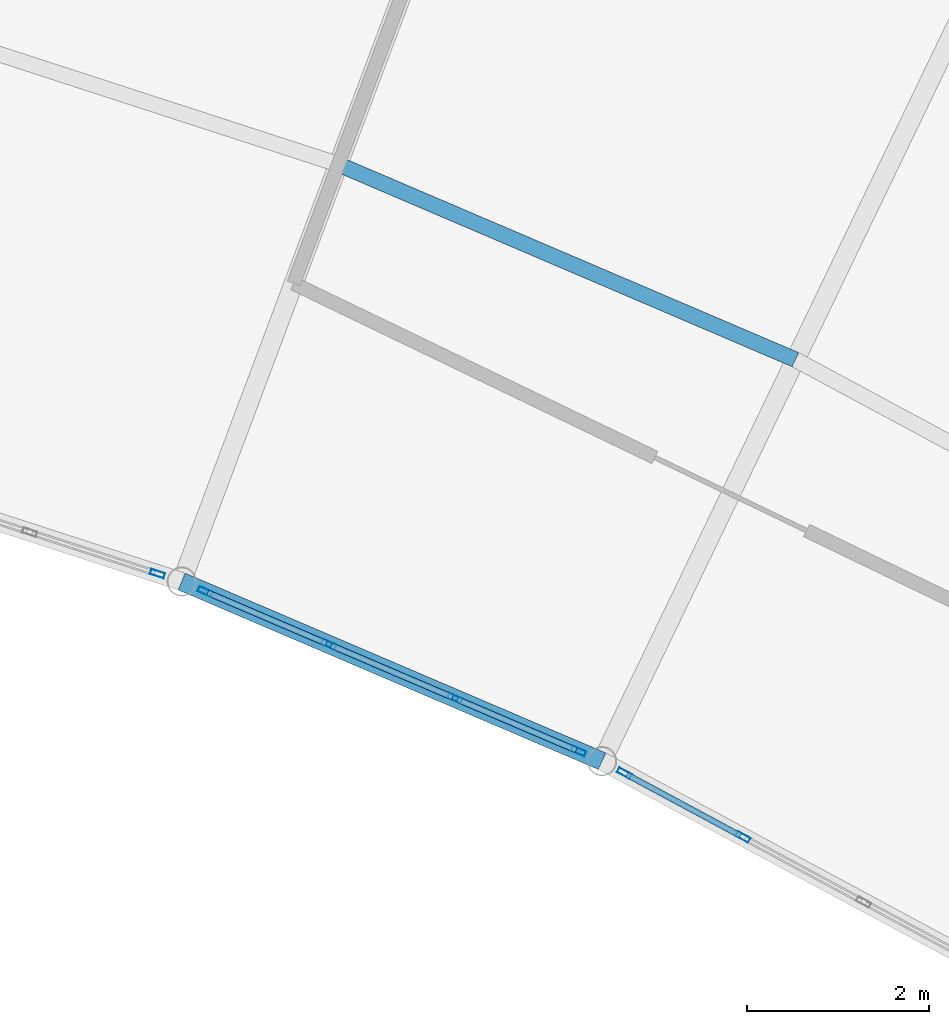
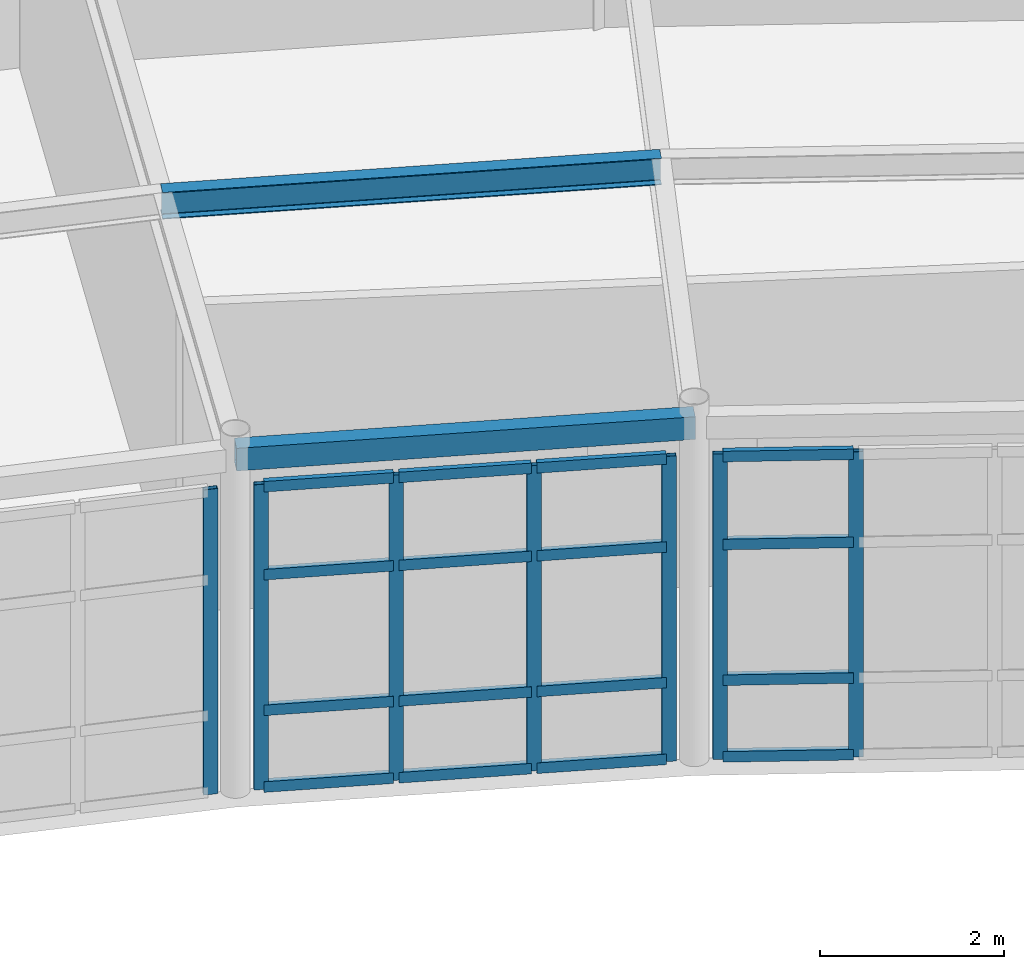
# One storey, part 69 of 105: 23 members, 2 beams, 3 elements without a shape of their own.
"""IFC4 building model written with IfcOpenShell, lengths in metres."""

from ifc_helpers import new_model, si_unit, direction, frame, origin, origin_2d, place, context, subcontext, project, spatial, hollow_rectangle, i_section, extrude, material, layer, layer_set, material_profile, profile_set, type_object, element, aggregate, save


model = new_model("IFC4")

# Units and contexts
model_context = context("Model", 3, precision=1e-05, world=origin(), true_north=direction((0.0, 1.0)))
body_context = subcontext(model_context, "Body", "Model", "MODEL_VIEW")
ifc_project = project(units=[si_unit("LENGTHUNIT", "METRE"), si_unit("AREAUNIT", "SQUARE_METRE"), si_unit("VOLUMEUNIT", "CUBIC_METRE"), si_unit("PLANEANGLEUNIT", "RADIAN"), si_unit("MASSUNIT", "GRAM", prefix="KILO")], contexts=[model_context])

# Site, building, storey
site_placement = place(None, origin())
site = spatial("IfcSite", under=ifc_project, at=site_placement, CompositionType="ELEMENT")
building_placement = place(site_placement, origin())
building = spatial("IfcBuilding", under=site, at=building_placement, Name="Selat Folded Stagehouse", CompositionType="ELEMENT")
storey_placement = place(building_placement, frame((0.0, 0.0, 10.199951171875)))
storey = spatial("IfcBuildingStorey", under=building, at=storey_placement, Name="L02", CompositionType="ELEMENT", Elevation=10.199951171875)

# Curtain wall, member
ifc_material_1 = material(Name="Aluminium 6063-T6", Category="aluminium")
ifc_layer = layer(ifc_material_1, 0.18994140625)
ifc_layer_set = layer_set([ifc_layer], Name="Aluminium 6063-T6")
curtain_wall_type = type_object("IfcCurtainWallType", Name="CW-REH-ARC", PredefinedType="NOTDEFINED", material=ifc_layer_set)
curtain_wall_1_placement = place(storey_placement, origin())
curtain_wall_1 = element("IfcCurtainWall", 1, at=curtain_wall_1_placement, inside=storey, type_object=curtain_wall_type, Name="L02 curtain wall CW-REH-L02-10", PredefinedType="NOTDEFINED")
ifc_material_profile_1 = material_profile(ifc_material_1, hollow_rectangle(XDim=0.06005859375, YDim=0.159912109375, WallThickness=0.00390625, at=origin_2d()), Name="ALU 160x60x4.0")
ifc_profile_set_1 = profile_set([ifc_material_profile_1], Name="Aluminium 6063-T6")
member_type_1 = type_object("IfcMemberType", Name="CWM-MUL-160x60", PredefinedType="MULLION", material=ifc_profile_set_1)
member_1_placement = place(storey_placement, frame((111.810546875, 90.515869140625, 0.0), z_axis=(0.0, 0.0, 1.0), x_axis=(-0.308991620714, -0.951064760323, 0.0)))
member_1 = element("IfcMember", 2, at=member_1_placement, type_object=member_type_1, Name="CW-06 mullion 1", PredefinedType="MULLION", context=body_context, shape_type="SweptSolid", body=[
    extrude(hollow_rectangle(XDim=0.06005859375, YDim=0.159912109375, WallThickness=0.00390625, at=origin_2d()), origin(), (0.0, 0.0, 1.0), 4.050048828125),
])
aggregate(curtain_wall_1, [member_1])

# Curtain wall, members
curtain_wall_2_placement = place(storey_placement, origin())
curtain_wall_2 = element("IfcCurtainWall", 3, at=curtain_wall_2_placement, inside=storey, type_object=curtain_wall_type, Name="L02 curtain wall CW-REH-L02-11", PredefinedType="NOTDEFINED")
member_2_placement = place(storey_placement, frame((116.43994140625, 88.564453125, 0.0), z_axis=(0.0, 0.0, 1.0), x_axis=(-0.393012226483, -0.919533245639, 0.0)))
member_2 = element("IfcMember", 4, at=member_2_placement, type_object=member_type_1, Name="CW-06 mullion 1", PredefinedType="MULLION", context=body_context, shape_type="SweptSolid", body=[
    extrude(hollow_rectangle(XDim=0.06005859375, YDim=0.159912109375, WallThickness=0.00390625, at=origin_2d()), origin(), (0.0, 0.0, 1.0), 4.050048828125),
])
member_3_placement = place(storey_placement, frame((115.080810546875, 89.145263671875, 0.0), z_axis=(0.0, 0.0, 1.0), x_axis=(-0.393012226483, -0.919533245639, 0.0)))
member_3 = element("IfcMember", 5, at=member_3_placement, type_object=member_type_1, Name="CW-06 mullion 2", PredefinedType="MULLION", context=body_context, shape_type="SweptSolid", body=[
    extrude(hollow_rectangle(XDim=0.06005859375, YDim=0.159912109375, WallThickness=0.00390625, at=origin_2d()), origin(), (0.0, 0.0, 1.0), 4.050048828125),
])
member_4_placement = place(storey_placement, frame((113.69384765625, 89.738037109375, 0.0), z_axis=(0.0, 0.0, 1.0), x_axis=(-0.393012226483, -0.919533245639, 0.0)))
member_4 = element("IfcMember", 6, at=member_4_placement, type_object=member_type_1, Name="CW-06 mullion 3", PredefinedType="MULLION", context=body_context, shape_type="SweptSolid", body=[
    extrude(hollow_rectangle(XDim=0.06005859375, YDim=0.159912109375, WallThickness=0.00390625, at=origin_2d()), origin(), (0.0, 0.0, 1.0), 4.050048828125),
])
member_5_placement = place(storey_placement, frame((112.33447265625, 90.319091796875, 0.0), z_axis=(0.0, 0.0, 1.0), x_axis=(-0.393012226483, -0.919533245639, 0.0)))
member_5 = element("IfcMember", 7, at=member_5_placement, type_object=member_type_1, Name="CW-06 mullion 4", PredefinedType="MULLION", context=body_context, shape_type="SweptSolid", body=[
    extrude(hollow_rectangle(XDim=0.06005859375, YDim=0.159912109375, WallThickness=0.00390625, at=origin_2d()), origin(), (0.0, 0.0, 1.0), 4.050048828125),
])

curtain_wall_3_placement = place(storey_placement, origin())
curtain_wall_3 = element("IfcCurtainWall", 8, at=curtain_wall_3_placement, inside=storey, type_object=curtain_wall_type, Name="L02 curtain wall CW-REH-L02-12", PredefinedType="NOTDEFINED")
member_6_placement = place(storey_placement, frame((118.245849609375, 87.62109375, 0.0), z_axis=(0.0, 0.0, 1.0), x_axis=(-0.473858636259, -0.880600927119, 0.0)))
member_6 = element("IfcMember", 9, at=member_6_placement, type_object=member_type_1, Name="CW-06 mullion 3", PredefinedType="MULLION", context=body_context, shape_type="SweptSolid", body=[
    extrude(hollow_rectangle(XDim=0.06005859375, YDim=0.159912109375, WallThickness=0.00390625, at=origin_2d()), origin(), (0.0, 0.0, 1.0), 4.050048828125),
])
member_7_placement = place(storey_placement, frame((116.944091796875, 88.321533203125, 0.0), z_axis=(0.0, 0.0, 1.0), x_axis=(-0.473858636259, -0.880600927119, 0.0)))
member_7 = element("IfcMember", 10, at=member_7_placement, type_object=member_type_1, Name="CW-06 mullion 4", PredefinedType="MULLION", context=body_context, shape_type="SweptSolid", body=[
    extrude(hollow_rectangle(XDim=0.06005859375, YDim=0.159912109375, WallThickness=0.00390625, at=origin_2d()), origin(), (0.0, 0.0, 1.0), 4.050048828125),
])

# Member
ifc_material_profile_2 = material_profile(ifc_material_1, hollow_rectangle(XDim=0.06494140625, YDim=0.139892578125, WallThickness=0.00390625, at=origin_2d()), Name="ALU 140x65x4.0")
ifc_profile_set_2 = profile_set([ifc_material_profile_2], Name="Aluminium 6063-T6")
member_type_2 = type_object("IfcMemberType", Name="CWM-TRN-140x65", PredefinedType="USERDEFINED", material=ifc_profile_set_2)
member_8_placement = place(storey_placement, frame((116.412353515625, 88.576171875, 0.032470703125), z_axis=(-0.919518623397, 0.393046436475, 0.0), x_axis=(-0.393046436475, -0.919518623397, 0.0)))
member_8 = element("IfcMember", 11, at=member_8_placement, type_object=member_type_2, Name="CW-06 transom 1.1", ObjectType="TRANSOM", PredefinedType="USERDEFINED", context=body_context, shape_type="SweptSolid", body=[
    extrude(hollow_rectangle(XDim=0.06494140625, YDim=0.139892578125, WallThickness=0.00390625, at=origin_2d()), origin(), (0.0, 0.0, 1.0), 1.41796875),
])

member_9_placement = place(storey_placement, frame((116.412353515625, 88.576171875, 1.050048828125), z_axis=(-0.919518623397, 0.393046436475, 0.0), x_axis=(-0.393046436475, -0.919518623397, 0.0)))
member_9 = element("IfcMember", 12, at=member_9_placement, type_object=member_type_2, Name="CW-06 transom 1.2", ObjectType="TRANSOM", PredefinedType="USERDEFINED", context=body_context, shape_type="SweptSolid", body=[
    extrude(hollow_rectangle(XDim=0.06494140625, YDim=0.139892578125, WallThickness=0.00390625, at=origin_2d()), origin(), (0.0, 0.0, 1.0), 1.41796875),
])

member_10_placement = place(storey_placement, frame((116.412353515625, 88.576171875, 2.85009765625), z_axis=(-0.919518623397, 0.393046436475, 0.0), x_axis=(-0.393046436475, -0.919518623397, 0.0)))
member_10 = element("IfcMember", 13, at=member_10_placement, type_object=member_type_2, Name="CW-06 transom 1.3", ObjectType="TRANSOM", PredefinedType="USERDEFINED", context=body_context, shape_type="SweptSolid", body=[
    extrude(hollow_rectangle(XDim=0.06494140625, YDim=0.139892578125, WallThickness=0.00390625, at=origin_2d()), origin(), (0.0, 0.0, 1.0), 1.41796875),
])

member_11_placement = place(storey_placement, frame((116.412353515625, 88.576171875, 4.017578125), z_axis=(-0.919518623397, 0.393046436475, 0.0), x_axis=(-0.393046436475, -0.919518623397, 0.0)))
member_11 = element("IfcMember", 14, at=member_11_placement, type_object=member_type_2, Name="CW-06 transom 1.4", ObjectType="TRANSOM", PredefinedType="USERDEFINED", context=body_context, shape_type="SweptSolid", body=[
    extrude(hollow_rectangle(XDim=0.06494140625, YDim=0.139892578125, WallThickness=0.00390625, at=origin_2d()), origin(), (0.0, 0.0, 1.0), 1.41796875),
])

member_12_placement = place(storey_placement, frame((115.05322265625, 89.1572265625, 0.032470703125), z_axis=(-0.919563036089, 0.392942518263, 0.0), x_axis=(-0.392942518263, -0.919563036089, 0.0)))
member_12 = element("IfcMember", 15, at=member_12_placement, type_object=member_type_2, Name="CW-06 transom 2.1", ObjectType="TRANSOM", PredefinedType="USERDEFINED", context=body_context, shape_type="SweptSolid", body=[
    extrude(hollow_rectangle(XDim=0.06494140625, YDim=0.139892578125, WallThickness=0.00390625, at=origin_2d()), origin(), (0.0, 0.0, 1.0), 1.4482421875),
])

member_13_placement = place(storey_placement, frame((115.05322265625, 89.1572265625, 1.050048828125), z_axis=(-0.919563036089, 0.392942518263, 0.0), x_axis=(-0.392942518263, -0.919563036089, 0.0)))
member_13 = element("IfcMember", 16, at=member_13_placement, type_object=member_type_2, Name="CW-06 transom 2.2", ObjectType="TRANSOM", PredefinedType="USERDEFINED", context=body_context, shape_type="SweptSolid", body=[
    extrude(hollow_rectangle(XDim=0.06494140625, YDim=0.139892578125, WallThickness=0.00390625, at=origin_2d()), origin(), (0.0, 0.0, 1.0), 1.4482421875),
])

member_14_placement = place(storey_placement, frame((115.05322265625, 89.1572265625, 2.85009765625), z_axis=(-0.919563036089, 0.392942518263, 0.0), x_axis=(-0.392942518263, -0.919563036089, 0.0)))
member_14 = element("IfcMember", 17, at=member_14_placement, type_object=member_type_2, Name="CW-06 transom 2.3", ObjectType="TRANSOM", PredefinedType="USERDEFINED", context=body_context, shape_type="SweptSolid", body=[
    extrude(hollow_rectangle(XDim=0.06494140625, YDim=0.139892578125, WallThickness=0.00390625, at=origin_2d()), origin(), (0.0, 0.0, 1.0), 1.4482421875),
])

member_15_placement = place(storey_placement, frame((115.05322265625, 89.1572265625, 4.017578125), z_axis=(-0.919563036089, 0.392942518263, 0.0), x_axis=(-0.392942518263, -0.919563036089, 0.0)))
member_15 = element("IfcMember", 18, at=member_15_placement, type_object=member_type_2, Name="CW-06 transom 2.4", ObjectType="TRANSOM", PredefinedType="USERDEFINED", context=body_context, shape_type="SweptSolid", body=[
    extrude(hollow_rectangle(XDim=0.06494140625, YDim=0.139892578125, WallThickness=0.00390625, at=origin_2d()), origin(), (0.0, 0.0, 1.0), 1.4482421875),
])

member_16_placement = place(storey_placement, frame((113.666259765625, 89.75, 0.032470703125), z_axis=(-0.919545213655, 0.392984223657, 0.0), x_axis=(-0.392984223657, -0.919545213655, 0.0)))
member_16 = element("IfcMember", 19, at=member_16_placement, type_object=member_type_2, Name="CW-06 transom 3.1", ObjectType="TRANSOM", PredefinedType="USERDEFINED", context=body_context, shape_type="SweptSolid", body=[
    extrude(hollow_rectangle(XDim=0.06494140625, YDim=0.139892578125, WallThickness=0.00390625, at=origin_2d()), origin(), (0.0, 0.0, 1.0), 1.418212890625),
])

member_17_placement = place(storey_placement, frame((113.666259765625, 89.75, 1.050048828125), z_axis=(-0.919545213655, 0.392984223657, 0.0), x_axis=(-0.392984223657, -0.919545213655, 0.0)))
member_17 = element("IfcMember", 20, at=member_17_placement, type_object=member_type_2, Name="CW-06 transom 3.2", ObjectType="TRANSOM", PredefinedType="USERDEFINED", context=body_context, shape_type="SweptSolid", body=[
    extrude(hollow_rectangle(XDim=0.06494140625, YDim=0.139892578125, WallThickness=0.00390625, at=origin_2d()), origin(), (0.0, 0.0, 1.0), 1.418212890625),
])

member_18_placement = place(storey_placement, frame((113.666259765625, 89.75, 2.85009765625), z_axis=(-0.919545213655, 0.392984223657, 0.0), x_axis=(-0.392984223657, -0.919545213655, 0.0)))
member_18 = element("IfcMember", 21, at=member_18_placement, type_object=member_type_2, Name="CW-06 transom 3.3", ObjectType="TRANSOM", PredefinedType="USERDEFINED", context=body_context, shape_type="SweptSolid", body=[
    extrude(hollow_rectangle(XDim=0.06494140625, YDim=0.139892578125, WallThickness=0.00390625, at=origin_2d()), origin(), (0.0, 0.0, 1.0), 1.418212890625),
])

member_19_placement = place(storey_placement, frame((113.666259765625, 89.75, 4.017578125), z_axis=(-0.919545213655, 0.392984223657, 0.0), x_axis=(-0.392984223657, -0.919545213655, 0.0)))
member_19 = element("IfcMember", 22, at=member_19_placement, type_object=member_type_2, Name="CW-06 transom 3.4", ObjectType="TRANSOM", PredefinedType="USERDEFINED", context=body_context, shape_type="SweptSolid", body=[
    extrude(hollow_rectangle(XDim=0.06494140625, YDim=0.139892578125, WallThickness=0.00390625, at=origin_2d()), origin(), (0.0, 0.0, 1.0), 1.418212890625),
])

aggregate(curtain_wall_2, [member_2, member_3, member_4, member_5, member_8, member_9, member_10, member_11, member_12, member_13, member_14, member_15, member_16, member_17, member_18, member_19])

member_20_placement = place(storey_placement, frame((118.219482421875, 87.63525390625, 0.032470703125), z_axis=(-0.880598189077, 0.473863724497, 0.0), x_axis=(-0.473863724497, -0.880598189077, 0.0)))
member_20 = element("IfcMember", 23, at=member_20_placement, type_object=member_type_2, Name="CW-06 transom 3.1", ObjectType="TRANSOM", PredefinedType="USERDEFINED", context=body_context, shape_type="SweptSolid", body=[
    extrude(hollow_rectangle(XDim=0.06494140625, YDim=0.139892578125, WallThickness=0.00390625, at=origin_2d()), origin(), (0.0, 0.0, 1.0), 1.41845703125),
])

member_21_placement = place(storey_placement, frame((118.219482421875, 87.63525390625, 1.050048828125), z_axis=(-0.880598189077, 0.473863724497, 0.0), x_axis=(-0.473863724497, -0.880598189077, 0.0)))
member_21 = element("IfcMember", 24, at=member_21_placement, type_object=member_type_2, Name="CW-06 transom 3.2", ObjectType="TRANSOM", PredefinedType="USERDEFINED", context=body_context, shape_type="SweptSolid", body=[
    extrude(hollow_rectangle(XDim=0.06494140625, YDim=0.139892578125, WallThickness=0.00390625, at=origin_2d()), origin(), (0.0, 0.0, 1.0), 1.41845703125),
])

member_22_placement = place(storey_placement, frame((118.219482421875, 87.63525390625, 2.85009765625), z_axis=(-0.880598189077, 0.473863724497, 0.0), x_axis=(-0.473863724497, -0.880598189077, 0.0)))
member_22 = element("IfcMember", 25, at=member_22_placement, type_object=member_type_2, Name="CW-06 transom 3.3", ObjectType="TRANSOM", PredefinedType="USERDEFINED", context=body_context, shape_type="SweptSolid", body=[
    extrude(hollow_rectangle(XDim=0.06494140625, YDim=0.139892578125, WallThickness=0.00390625, at=origin_2d()), origin(), (0.0, 0.0, 1.0), 1.41845703125),
])

member_23_placement = place(storey_placement, frame((118.219482421875, 87.63525390625, 4.017578125), z_axis=(-0.880598189077, 0.473863724497, 0.0), x_axis=(-0.473863724497, -0.880598189077, 0.0)))
member_23 = element("IfcMember", 26, at=member_23_placement, type_object=member_type_2, Name="CW-06 transom 3.4", ObjectType="TRANSOM", PredefinedType="USERDEFINED", context=body_context, shape_type="SweptSolid", body=[
    extrude(hollow_rectangle(XDim=0.06494140625, YDim=0.139892578125, WallThickness=0.00390625, at=origin_2d()), origin(), (0.0, 0.0, 1.0), 1.41845703125),
])

aggregate(curtain_wall_3, [member_6, member_7, member_20, member_21, member_22, member_23])

# Beams
ifc_material_2 = material(Name="Steel S355", Category="steel")
ifc_material_profile_3 = material_profile(ifc_material_2, i_section(OverallWidth=0.17138671875, OverallDepth=0.35498046875, WebThickness=0.00732421875, FlangeThickness=0.011474609375, FilletRadius=0.01025390625, at=origin_2d()), Name="UKB 356x171x51")
ifc_profile_set_3 = profile_set([ifc_material_profile_3], Name="Steel S355")
beam_type_1 = type_object("IfcBeamType", Name="JST-356x171x51", PredefinedType="JOIST", material=ifc_profile_set_3)
beam_1_placement = place(storey_placement, frame((113.798583984375, 95.0166015625, 4.422607421875), z_axis=(0.919530500952, -0.393018648182, 0.0), x_axis=(0.393018648182, 0.919530500952, 0.0)))
element("IfcBeam", 27, at=beam_1_placement, inside=storey, type_object=beam_type_1, Name="L02 curved rehearsal secondary joist 12.1", PredefinedType="JOIST", context=body_context, shape_type="SweptSolid", body=[
    extrude(i_section(OverallWidth=0.17138671875, OverallDepth=0.35498046875, WebThickness=0.00732421875, FlangeThickness=0.011474609375, FilletRadius=0.01025390625, at=origin_2d()), origin(), (0.0, 0.0, 1.0), 5.464599609375),
])
ifc_material_profile_4 = material_profile(ifc_material_2, hollow_rectangle(XDim=0.199951171875, YDim=0.300048828125, WallThickness=0.012451171875, at=origin_2d()), Name="RHS 300x200x12.5")
ifc_profile_set_4 = profile_set([ifc_material_profile_4], Name="Steel S355")
beam_type_2 = type_object("IfcBeamType", Name="SPD-RHS-300x200", PredefinedType="SPANDREL", material=ifc_profile_set_4)
beam_2_placement = place(storey_placement, frame((112.076904296875, 90.42919921875, 4.449951171875), z_axis=(0.919534104414, -0.393010217194, 0.0), x_axis=(0.393010217194, 0.919534104414, 0.0)))
element("IfcBeam", 28, at=beam_2_placement, inside=storey, type_object=beam_type_2, Name="L02 inner curved rehearsal spandrel 12", PredefinedType="SPANDREL", context=body_context, shape_type="SweptSolid", body=[
    extrude(hollow_rectangle(XDim=0.199951171875, YDim=0.300048828125, WallThickness=0.012451171875, at=origin_2d()), origin(), (0.0, 0.0, 1.0), 5.02490234375),
])

save(model, "model.ifc")
